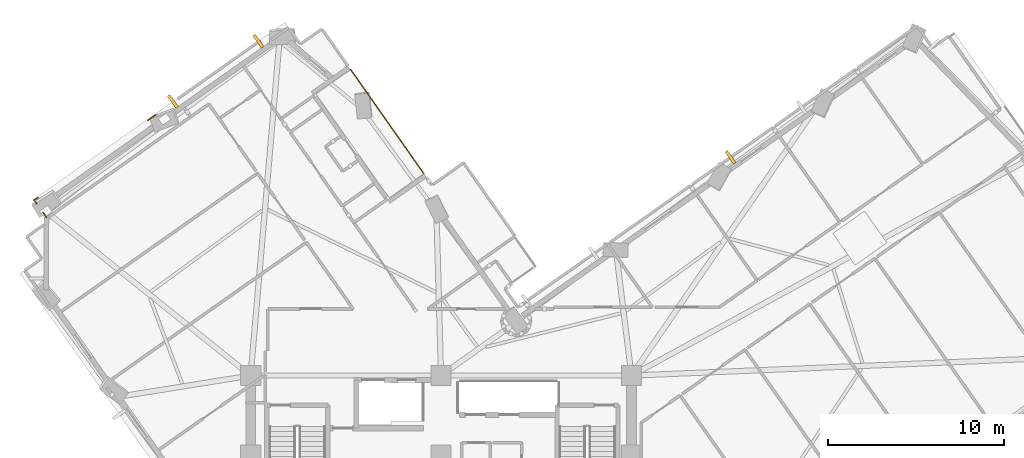
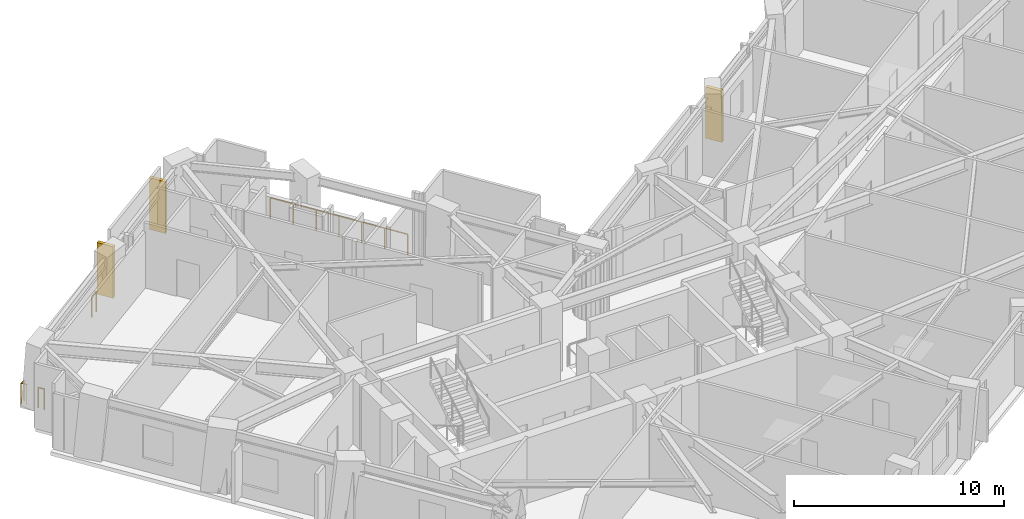
# One storey, part 12 of 13: 4 railings, 3 shading devices.
"""IFC4 building model written with IfcOpenShell, lengths in metres."""

import ifcopenshell
import ifcopenshell.guid

model = None  # the IFC model being written
_history = None  # IfcOwnerHistory: only IFC2X3 demands one
_inside = {}  # id of a spatial element -> (the spatial element, [elements in it])
_under = {}  # id of a project, library or spatial element -> (it, [spatial elements below it])
_declared = {}  # id of a project -> (the project, [libraries it declares])
_typed = {}  # id of a type object -> (the type object, [elements of that type])
_made_of = {}  # id of a material, layer set ... -> (it, [elements and type objects made of it])


def new_model(schema):
    """Start an empty IFC model of exactly this schema.

    Asked for "IFC4X3", IfcOpenShell would pick the latest addendum, in which some entities
    have other attributes; the version numbers below select the first issue.
    IFC2X3 requires an IfcOwnerHistory on every rooted entity: one is made here for all.
    """
    global model, _history
    if schema == "IFC4X3":
        model = ifcopenshell.file(schema_version=(4, 3, 0, 0))
    else:
        model = ifcopenshell.file(schema=schema)
    _inside.clear()
    _under.clear()
    _declared.clear()
    _typed.clear()
    _made_of.clear()
    _history = None
    if model.schema == "IFC2X3":
        org = make("IfcOrganization", Name="unknown")
        user = make(
            "IfcPersonAndOrganization",
            ThePerson=make("IfcPerson", FamilyName="unknown"),
            TheOrganization=org,
        )
        app = make(
            "IfcApplication",
            ApplicationDeveloper=org,
            Version="unknown",
            ApplicationFullName="unknown",
            ApplicationIdentifier="unknown",
        )
        _history = make(
            "IfcOwnerHistory",
            OwningUser=user,
            OwningApplication=app,
            ChangeAction="ADDED",
            CreationDate=0,
        )
    return model


def make(cls, **values):
    """One entity of the class cls with the attributes given. An attribute that is None is left unset."""
    return model.create_entity(
        cls, **{name: value for name, value in values.items() if value is not None}
    )


def rooted(cls, **values):
    """An entity with a GlobalId (a new one), such as an element, a storey or a relation."""
    return make(cls, GlobalId=ifcopenshell.guid.new(), OwnerHistory=_history, **values)


def si_unit(unit_type, name, prefix=None):
    """IfcSIUnit, for example si_unit("LENGTHUNIT", "METRE", prefix="MILLI")."""
    return make("IfcSIUnit", UnitType=unit_type, Prefix=prefix, Name=name)


def assignment(units):
    """IfcUnitAssignment: the units of a project."""
    return None if units is None else make("IfcUnitAssignment", Units=units)


def point(xyz):
    """IfcCartesianPoint."""
    return None if xyz is None else make("IfcCartesianPoint", Coordinates=xyz)


def direction(xyz):
    """IfcDirection."""
    return None if xyz is None else make("IfcDirection", DirectionRatios=xyz)


def frame(location, z_axis=None, x_axis=None):
    """IfcAxis2Placement3D, a coordinate frame: its origin and axes. An axis left out is left unset."""
    return make(
        "IfcAxis2Placement3D",
        Location=point(location),
        Axis=direction(z_axis),
        RefDirection=direction(x_axis),
    )


def frame_2d(location, x_axis=None):
    """IfcAxis2Placement2D, a coordinate frame in the plane: its origin and x axis."""
    return make(
        "IfcAxis2Placement2D", Location=point(location), RefDirection=direction(x_axis)
    )


def origin():
    """The frame at (0, 0, 0) with its axes left unset."""
    return frame((0.0, 0.0, 0.0))


def origin_2d():
    """The frame at (0, 0) in the plane with its x axis left unset."""
    return frame_2d((0.0, 0.0))


def place(relative_to, where):
    """IfcLocalPlacement: puts the frame where relative to a parent placement (None: the world)."""
    return make(
        "IfcLocalPlacement", PlacementRelTo=relative_to, RelativePlacement=where
    )


def context(
    kind, dimensions, precision=None, world=None, true_north=None, identifier=None
):
    """IfcGeometricRepresentationContext, for example the 3D "Model" context."""
    return make(
        "IfcGeometricRepresentationContext",
        ContextIdentifier=identifier,
        ContextType=kind,
        CoordinateSpaceDimension=dimensions,
        Precision=precision,
        WorldCoordinateSystem=world,
        TrueNorth=true_north,
    )


def subcontext(parent, identifier, kind, view, scale=None):
    """IfcGeometricRepresentationSubContext, for example "Body" below "Model"."""
    return make(
        "IfcGeometricRepresentationSubContext",
        ContextIdentifier=identifier,
        ContextType=kind,
        ParentContext=parent,
        TargetScale=scale,
        TargetView=view,
    )


def project(units=None, contexts=None):
    """IfcProject with its units and contexts."""
    return rooted(
        "IfcProject",
        Name="project",
        RepresentationContexts=contexts,
        UnitsInContext=assignment(units),
    )


def spatial(cls, under=None, at=None, **own):
    """A site, building, storey or space (cls), placed at a placement, below another one or the project."""
    s = rooted(cls, ObjectPlacement=at, **own)
    if under is not None:
        _under.setdefault(under.id(), (under, []))[1].append(s)
    return s


def profile(cls, at=None, kind="AREA", **sizes):
    """A parametric profile (cls). Its sizes go by their IFC names, for example OverallWidth=200.0."""
    return make(cls, ProfileType=kind, Position=at, **sizes)


def rectangle(**sizes):
    """IfcRectangleProfileDef."""
    return profile("IfcRectangleProfileDef", **sizes)


def circle(**sizes):
    """IfcCircleProfileDef."""
    return profile("IfcCircleProfileDef", **sizes)


def extrude(swept, where, along, depth):
    """IfcExtrudedAreaSolid: the profile swept, set in the frame where, extruded along a direction by depth."""
    return make(
        "IfcExtrudedAreaSolid",
        SweptArea=swept,
        Position=where,
        ExtrudedDirection=direction(along),
        Depth=depth,
    )


def shape(context_of_items, identifier, shape_type, items):
    """IfcShapeRepresentation: the items that make up one representation, for example the "Body"."""
    return make(
        "IfcShapeRepresentation",
        ContextOfItems=context_of_items,
        RepresentationIdentifier=identifier,
        RepresentationType=shape_type,
        Items=items,
    )


def material(Name=None, Category=None):
    """IfcMaterial."""
    return make("IfcMaterial", Name=Name, Category=Category)


def layer(
    of_material, thickness, ventilated=None, Name=None, Category=None, Priority=None
):
    """IfcMaterialLayer: one layer of a wall or slab, of a material (None: an air gap)."""
    return make(
        "IfcMaterialLayer",
        Material=of_material,
        LayerThickness=thickness,
        IsVentilated=ventilated,
        Name=Name,
        Category=Category,
        Priority=Priority,
    )


def layer_set(layers, Name=None):
    """IfcMaterialLayerSet."""
    return make("IfcMaterialLayerSet", MaterialLayers=layers, LayerSetName=Name)


def made_of(thing, what):
    """Note that an element or type object is made of a material, layer set ...; save() writes the relation."""
    if what is not None:
        _made_of.setdefault(what.id(), (what, []))[1].append(thing)
    return thing


def type_object(cls, material=None, **own):
    """A type object (cls), such as IfcWallType, which elements share."""
    return made_of(rooted(cls, **own), material)


def element(
    cls,
    number,
    at=None,
    inside=None,
    cuts=None,
    type_object=None,
    material=None,
    context=None,
    identifier="Body",
    shape_type=None,
    held_by="IfcProductDefinitionShape",
    body=None,
    shapes=None,
    **own,
):
    """One element of the class cls, such as IfcWall. Its Tag is "e" and its number.

    at: its placement. inside: the storey or other place that contains it. cuts: it is an
    opening in that element (IfcRelVoidsElement). A single representation is given by context,
    identifier, shape_type and body (its items); several are given by shapes. held_by: the class
    of the entity that holds the representations. save() writes the other relations.
    """
    e = rooted(cls, Tag="e%d" % number, ObjectPlacement=at, **own)
    if body is not None:
        shapes = [shape(context, identifier, shape_type, body)]
    if shapes is not None:
        e.Representation = make(held_by, Representations=shapes)
    if inside is not None:
        _inside.setdefault(inside.id(), (inside, []))[1].append(e)
    if cuts is not None:
        rooted(
            "IfcRelVoidsElement", RelatingBuildingElement=cuts, RelatedOpeningElement=e
        )
    if type_object is not None:
        _typed.setdefault(type_object.id(), (type_object, []))[1].append(e)
    return made_of(e, material)


def aggregate(whole, parts):
    """IfcRelAggregates: a whole, such as a stair, and the parts it consists of."""
    return rooted("IfcRelAggregates", RelatingObject=whole, RelatedObjects=parts)


def save(model, path):
    """Write the relations noted so far, then the file.

    IfcRelAggregates (storeys below a building ...), IfcRelContainedInSpatialStructure (elements
    in a storey), IfcRelDefinesByType, IfcRelAssociatesMaterial and IfcRelDeclares: one each for
    every whole, place, type object, material and project.
    """
    for whole, parts in _under.values():
        aggregate(whole, parts)
    for where, things in _inside.values():
        rooted(
            "IfcRelContainedInSpatialStructure",
            RelatedElements=things,
            RelatingStructure=where,
        )
    for kind, things in _typed.values():
        rooted("IfcRelDefinesByType", RelatedObjects=things, RelatingType=kind)
    for what, things in _made_of.values():
        rooted("IfcRelAssociatesMaterial", RelatedObjects=things, RelatingMaterial=what)
    for by, libraries in _declared.values():
        rooted("IfcRelDeclares", RelatingContext=by, RelatedDefinitions=libraries)
    model.write(path)


model = new_model("IFC4")

# Units and contexts
model_context = context("Model", 3, precision=1e-05, world=origin(), true_north=direction((0.0, 1.0)))
body_context = subcontext(model_context, "Body", "Model", "MODEL_VIEW")
ifc_project = project(units=[si_unit("LENGTHUNIT", "METRE"), si_unit("AREAUNIT", "SQUARE_METRE"), si_unit("VOLUMEUNIT", "CUBIC_METRE"), si_unit("PLANEANGLEUNIT", "RADIAN"), si_unit("MASSUNIT", "GRAM", prefix="KILO")], contexts=[model_context])

# Site, building, storey
site_placement = place(None, origin())
site = spatial("IfcSite", under=ifc_project, at=site_placement, CompositionType="ELEMENT")
building_placement = place(site_placement, origin())
building = spatial("IfcBuilding", under=site, at=building_placement, Name="Gaonmaruhae Medical Tower", CompositionType="ELEMENT")
storey_placement = place(building_placement, frame((0.0, 0.0, 173.800048828125)))
storey = spatial("IfcBuildingStorey", under=building, at=storey_placement, Name="L41", CompositionType="ELEMENT", Elevation=173.800048828125)

# Railings
ifc_material_1 = material(Name="Stainless steel 316L and laminated safety glass", Category="steel")
ifc_layer = layer(ifc_material_1, 0.080078125)
ifc_layer_set = layer_set([ifc_layer], Name="Stainless steel 316L and laminated safety glass")
railing_type = type_object("IfcRailingType", Name="GD-120 Outdoor Terrace Safety Glass & Steel Balustrade", PredefinedType="BALUSTRADE", material=ifc_layer_set)
railing_1_placement = place(storey_placement, frame((23.822998046875, 28.263916015625, 0.0)))
element("IfcRailing", 1, at=railing_1_placement, inside=storey, type_object=railing_type, Name="L41 Terrace Safety Guard RL-SLB-L41-TER-02", PredefinedType="BALUSTRADE", context=body_context, shape_type="SweptSolid", body=[
    extrude(circle(Radius=0.02392578125, at=origin_2d()), frame((0.0, 0.0, 1.17578125), z_axis=(-0.575733603342, 0.817637338912, 0.0), x_axis=(-0.817637338912, -0.575733603342, 0.0)), (0.0, 0.0, 1.0), 7.199951171875),
    extrude(circle(Radius=0.02099609375, at=origin_2d()), origin(), (0.0, 0.0, 1.0), 1.15185546875),
    extrude(circle(Radius=0.02099609375, at=origin_2d()), frame((-0.69091796875, 0.981201171875, 0.0)), (0.0, 0.0, 1.0), 1.15185546875),
    extrude(circle(Radius=0.02099609375, at=origin_2d()), frame((-1.3818359375, 1.96240234375, 0.0)), (0.0, 0.0, 1.0), 1.15185546875),
    extrude(circle(Radius=0.02099609375, at=origin_2d()), frame((-2.07275390625, 2.943359375, 0.0)), (0.0, 0.0, 1.0), 1.15185546875),
    extrude(circle(Radius=0.02099609375, at=origin_2d()), frame((-2.763427734375, 3.924560546875, 0.0)), (0.0, 0.0, 1.0), 1.15185546875),
    extrude(circle(Radius=0.02099609375, at=origin_2d()), frame((-3.454345703125, 4.90576171875, 0.0)), (0.0, 0.0, 1.0), 1.15185546875),
    extrude(circle(Radius=0.02099609375, at=origin_2d()), frame((-4.145263671875, 5.886962890625, 0.0)), (0.0, 0.0, 1.0), 1.15185546875),
])
railing_2_placement = place(storey_placement, frame((2.41943359375, 25.781005859375, 0.0)))
element("IfcRailing", 2, at=railing_2_placement, inside=storey, type_object=railing_type, Name="L41 Perimeter Slab Edge Safety Balustrade 09", PredefinedType="BALUSTRADE", context=body_context, shape_type="SweptSolid", body=[
    extrude(circle(Radius=0.02392578125, at=origin_2d()), frame((0.0, 0.0, 1.17578125), z_axis=(-0.576067007793, 0.817402472796, 0.0), x_axis=(-0.817402472796, -0.576067007793, 0.0)), (0.0, 0.0, 1.0), 0.32666015625),
    extrude(circle(Radius=0.02099609375, at=origin_2d()), origin(), (0.0, 0.0, 1.0), 1.15185546875),
    extrude(circle(Radius=0.02099609375, at=origin_2d()), frame((-0.188232421875, 0.26708984375, 0.0)), (0.0, 0.0, 1.0), 1.15185546875),
])
railing_3_placement = place(storey_placement, frame((8.189697265625, 31.282958984375, 0.0)))
element("IfcRailing", 3, at=railing_3_placement, inside=storey, type_object=railing_type, Name="L41 Perimeter Slab Edge Safety Balustrade 10", PredefinedType="BALUSTRADE", context=body_context, shape_type="SweptSolid", body=[
    extrude(circle(Radius=0.02392578125, at=origin_2d()), frame((0.0, 0.0, 1.17578125), z_axis=(0.817543040404, 0.575867499592, 0.0), x_axis=(-0.575867499592, 0.817543040404, 0.0)), (0.0, 0.0, 1.0), 0.517333984375),
    extrude(circle(Radius=0.02099609375, at=origin_2d()), origin(), (0.0, 0.0, 1.0), 1.15185546875),
    extrude(circle(Radius=0.02099609375, at=origin_2d()), frame((0.4228515625, 0.2978515625, 0.0)), (0.0, 0.0, 1.0), 1.15185546875),
])
railing_4_placement = place(storey_placement, frame((1.885986328125, 26.538818359375, 0.0)))
element("IfcRailing", 4, at=railing_4_placement, inside=storey, type_object=railing_type, Name="L41 Perimeter Corner Safety Balustrade 15", PredefinedType="BALUSTRADE", context=body_context, shape_type="SweptSolid", body=[
    extrude(circle(Radius=0.02392578125, at=origin_2d()), frame((0.0, 0.0, 1.17578125), z_axis=(-0.671825789373, 0.740709193094, 0.0), x_axis=(-0.740709193094, -0.671825789373, 0.0)), (0.0, 0.0, 1.0), 0.287109375),
    extrude(circle(Radius=0.02392578125, at=origin_2d()), frame((-0.19287109375, 0.212646484375, 1.17578125), z_axis=(0.881669490286, 0.471867470693, 0.0), x_axis=(-0.471867470693, 0.881669490286, 0.0)), (0.0, 0.0, 1.0), 0.287109375),
    extrude(circle(Radius=0.02099609375, at=origin_2d()), origin(), (0.0, 0.0, 1.0), 1.15185546875),
    extrude(circle(Radius=0.02099609375, at=origin_2d()), frame((-0.19287109375, 0.212646484375, 0.0)), (0.0, 0.0, 1.0), 1.15185546875),
    extrude(circle(Radius=0.02099609375, at=origin_2d()), frame((0.060302734375, 0.34814453125, 0.0)), (0.0, 0.0, 1.0), 1.15185546875),
])

# Shading devices
ifc_material_2 = material(Name="Pigmented coral precast concrete C45/55", Category="concrete")
shading_device_type = type_object("IfcShadingDeviceType", Name="SD-FIN1 Tower Vertical Coral Precast Shading Fin", PredefinedType="USERDEFINED", material=ifc_material_2)
shading_device_placement = place(storey_placement, frame((41.22021484375, 29.180908203125, 0.0400390625), z_axis=(0.0, 0.0, 1.0), x_axis=(0.817647619217, 0.575719003324, 0.0)))
element("IfcShadingDevice", 5, at=shading_device_placement, inside=storey, type_object=shading_device_type, Name="L41 Vertical Coral Precast Shading Fin EN01", ObjectType="FIN", PredefinedType="USERDEFINED", context=body_context, shape_type="SweptSolid", body=[
    extrude(rectangle(XDim=0.179931640625, YDim=0.85009765625, at=origin_2d()), origin(), (0.0, 0.0, 1.0), 2.985107421875),
])
for number, where, z_axis, x_axis, name in (
    (6, (9.592529296875, 32.35009765625, 0.132568359375), (0.0, 0.0, 1.0), (0.817647619217, 0.575719003324, 0.0), "L41 Vertical Coral Precast Shading Fin N01"),
    (7, (14.441650390625, 35.7646484375, 0.132568359375), (0.0, 0.0, 1.0), (0.817647619217, 0.575719003324, 0.0), "L41 Vertical Coral Precast Shading Fin N01B"),
):
    element("IfcShadingDevice", number, at=place(storey_placement, frame(where, z_axis=z_axis, x_axis=x_axis)), inside=storey, type_object=shading_device_type, Name=name, ObjectType="FIN", PredefinedType="USERDEFINED", context=body_context, shape_type="SweptSolid", body=[
        extrude(rectangle(XDim=0.179931640625, YDim=0.85009765625, at=origin_2d()), origin(), (0.0, 0.0, 1.0), 3.0),
    ])

save(model, "model.ifc")
